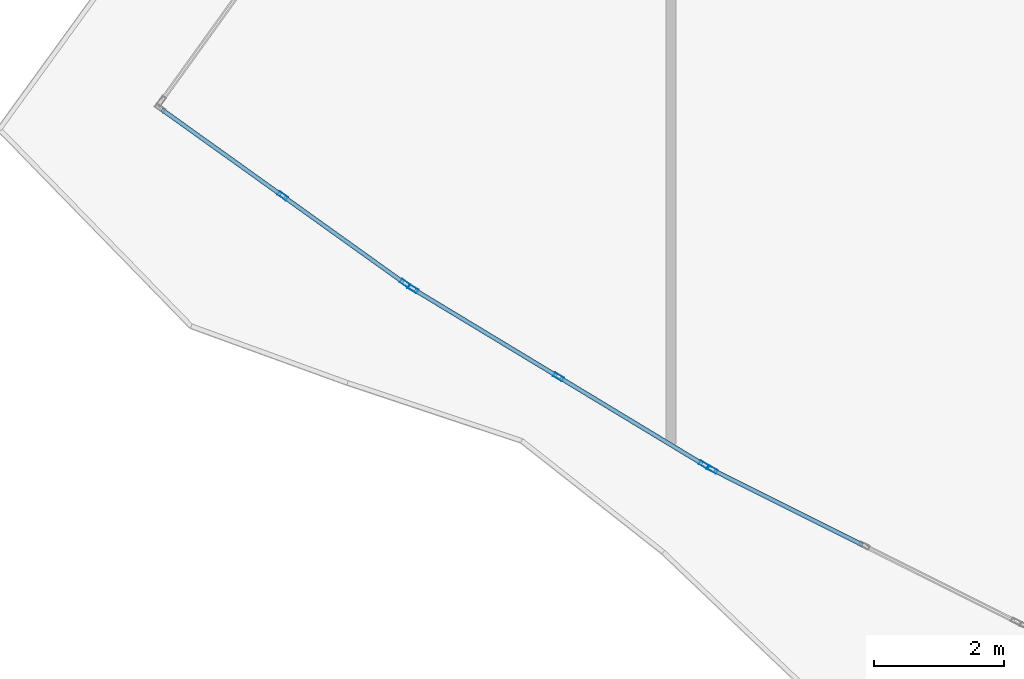
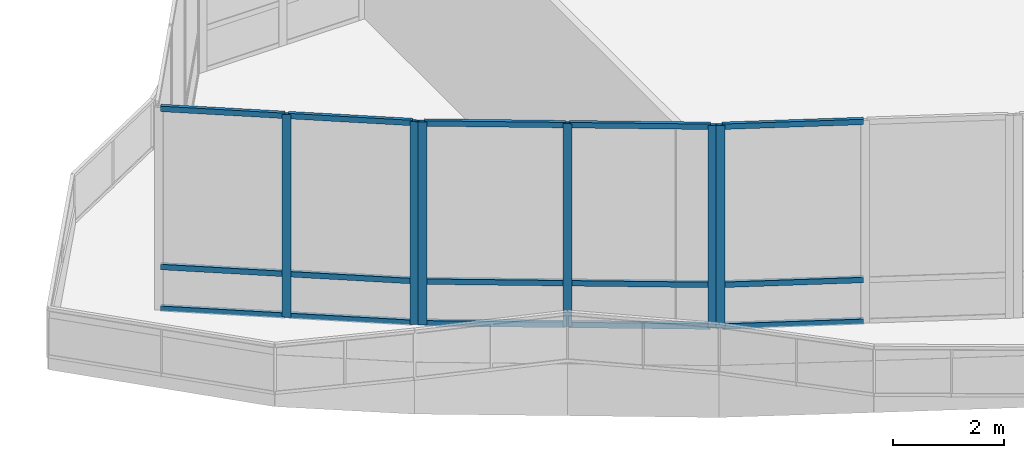
# One storey, part 12 of 155: 21 members, 3 elements without a shape of their own.
"""IFC4 building model written with IfcOpenShell, lengths in metres."""

import ifcopenshell
import ifcopenshell.guid

model = None  # the IFC model being written
_history = None  # IfcOwnerHistory: only IFC2X3 demands one
_inside = {}  # id of a spatial element -> (the spatial element, [elements in it])
_under = {}  # id of a project, library or spatial element -> (it, [spatial elements below it])
_declared = {}  # id of a project -> (the project, [libraries it declares])
_typed = {}  # id of a type object -> (the type object, [elements of that type])
_made_of = {}  # id of a material, layer set ... -> (it, [elements and type objects made of it])


def new_model(schema):
    """Start an empty IFC model of exactly this schema.

    Asked for "IFC4X3", IfcOpenShell would pick the latest addendum, in which some entities
    have other attributes; the version numbers below select the first issue.
    IFC2X3 requires an IfcOwnerHistory on every rooted entity: one is made here for all.
    """
    global model, _history
    if schema == "IFC4X3":
        model = ifcopenshell.file(schema_version=(4, 3, 0, 0))
    else:
        model = ifcopenshell.file(schema=schema)
    _inside.clear()
    _under.clear()
    _declared.clear()
    _typed.clear()
    _made_of.clear()
    _history = None
    if model.schema == "IFC2X3":
        org = make("IfcOrganization", Name="unknown")
        user = make(
            "IfcPersonAndOrganization",
            ThePerson=make("IfcPerson", FamilyName="unknown"),
            TheOrganization=org,
        )
        app = make(
            "IfcApplication",
            ApplicationDeveloper=org,
            Version="unknown",
            ApplicationFullName="unknown",
            ApplicationIdentifier="unknown",
        )
        _history = make(
            "IfcOwnerHistory",
            OwningUser=user,
            OwningApplication=app,
            ChangeAction="ADDED",
            CreationDate=0,
        )
    return model


def make(cls, **values):
    """One entity of the class cls with the attributes given. An attribute that is None is left unset."""
    return model.create_entity(
        cls, **{name: value for name, value in values.items() if value is not None}
    )


def rooted(cls, **values):
    """An entity with a GlobalId (a new one), such as an element, a storey or a relation."""
    return make(cls, GlobalId=ifcopenshell.guid.new(), OwnerHistory=_history, **values)


def si_unit(unit_type, name, prefix=None):
    """IfcSIUnit, for example si_unit("LENGTHUNIT", "METRE", prefix="MILLI")."""
    return make("IfcSIUnit", UnitType=unit_type, Prefix=prefix, Name=name)


def assignment(units):
    """IfcUnitAssignment: the units of a project."""
    return None if units is None else make("IfcUnitAssignment", Units=units)


def point(xyz):
    """IfcCartesianPoint."""
    return None if xyz is None else make("IfcCartesianPoint", Coordinates=xyz)


def direction(xyz):
    """IfcDirection."""
    return None if xyz is None else make("IfcDirection", DirectionRatios=xyz)


def frame(location, z_axis=None, x_axis=None):
    """IfcAxis2Placement3D, a coordinate frame: its origin and axes. An axis left out is left unset."""
    return make(
        "IfcAxis2Placement3D",
        Location=point(location),
        Axis=direction(z_axis),
        RefDirection=direction(x_axis),
    )


def frame_2d(location, x_axis=None):
    """IfcAxis2Placement2D, a coordinate frame in the plane: its origin and x axis."""
    return make(
        "IfcAxis2Placement2D", Location=point(location), RefDirection=direction(x_axis)
    )


def origin():
    """The frame at (0, 0, 0) with its axes left unset."""
    return frame((0.0, 0.0, 0.0))


def origin_2d():
    """The frame at (0, 0) in the plane with its x axis left unset."""
    return frame_2d((0.0, 0.0))


def place(relative_to, where):
    """IfcLocalPlacement: puts the frame where relative to a parent placement (None: the world)."""
    return make(
        "IfcLocalPlacement", PlacementRelTo=relative_to, RelativePlacement=where
    )


def context(
    kind, dimensions, precision=None, world=None, true_north=None, identifier=None
):
    """IfcGeometricRepresentationContext, for example the 3D "Model" context."""
    return make(
        "IfcGeometricRepresentationContext",
        ContextIdentifier=identifier,
        ContextType=kind,
        CoordinateSpaceDimension=dimensions,
        Precision=precision,
        WorldCoordinateSystem=world,
        TrueNorth=true_north,
    )


def subcontext(parent, identifier, kind, view, scale=None):
    """IfcGeometricRepresentationSubContext, for example "Body" below "Model"."""
    return make(
        "IfcGeometricRepresentationSubContext",
        ContextIdentifier=identifier,
        ContextType=kind,
        ParentContext=parent,
        TargetScale=scale,
        TargetView=view,
    )


def project(units=None, contexts=None):
    """IfcProject with its units and contexts."""
    return rooted(
        "IfcProject",
        Name="project",
        RepresentationContexts=contexts,
        UnitsInContext=assignment(units),
    )


def spatial(cls, under=None, at=None, **own):
    """A site, building, storey or space (cls), placed at a placement, below another one or the project."""
    s = rooted(cls, ObjectPlacement=at, **own)
    if under is not None:
        _under.setdefault(under.id(), (under, []))[1].append(s)
    return s


def profile(cls, at=None, kind="AREA", **sizes):
    """A parametric profile (cls). Its sizes go by their IFC names, for example OverallWidth=200.0."""
    return make(cls, ProfileType=kind, Position=at, **sizes)


def hollow_rectangle(**sizes):
    """IfcRectangleHollowProfileDef."""
    return profile("IfcRectangleHollowProfileDef", **sizes)


def extrude(swept, where, along, depth):
    """IfcExtrudedAreaSolid: the profile swept, set in the frame where, extruded along a direction by depth."""
    return make(
        "IfcExtrudedAreaSolid",
        SweptArea=swept,
        Position=where,
        ExtrudedDirection=direction(along),
        Depth=depth,
    )


def shape(context_of_items, identifier, shape_type, items):
    """IfcShapeRepresentation: the items that make up one representation, for example the "Body"."""
    return make(
        "IfcShapeRepresentation",
        ContextOfItems=context_of_items,
        RepresentationIdentifier=identifier,
        RepresentationType=shape_type,
        Items=items,
    )


def material(Name=None, Category=None):
    """IfcMaterial."""
    return make("IfcMaterial", Name=Name, Category=Category)


def material_profile(
    of_material, cross_section, Name=None, Category=None, Priority=None
):
    """IfcMaterialProfile: a cross section and its material."""
    return make(
        "IfcMaterialProfile",
        Name=Name,
        Material=of_material,
        Profile=cross_section,
        Priority=Priority,
        Category=Category,
    )


def profile_set(profiles, Name=None, composite=None):
    """IfcMaterialProfileSet."""
    return make(
        "IfcMaterialProfileSet",
        Name=Name,
        MaterialProfiles=profiles,
        CompositeProfile=composite,
    )


def made_of(thing, what):
    """Note that an element or type object is made of a material, layer set ...; save() writes the relation."""
    if what is not None:
        _made_of.setdefault(what.id(), (what, []))[1].append(thing)
    return thing


def type_object(cls, material=None, **own):
    """A type object (cls), such as IfcWallType, which elements share."""
    return made_of(rooted(cls, **own), material)


def element(
    cls,
    number,
    at=None,
    inside=None,
    cuts=None,
    type_object=None,
    material=None,
    context=None,
    identifier="Body",
    shape_type=None,
    held_by="IfcProductDefinitionShape",
    body=None,
    shapes=None,
    **own,
):
    """One element of the class cls, such as IfcWall. Its Tag is "e" and its number.

    at: its placement. inside: the storey or other place that contains it. cuts: it is an
    opening in that element (IfcRelVoidsElement). A single representation is given by context,
    identifier, shape_type and body (its items); several are given by shapes. held_by: the class
    of the entity that holds the representations. save() writes the other relations.
    """
    e = rooted(cls, Tag="e%d" % number, ObjectPlacement=at, **own)
    if body is not None:
        shapes = [shape(context, identifier, shape_type, body)]
    if shapes is not None:
        e.Representation = make(held_by, Representations=shapes)
    if inside is not None:
        _inside.setdefault(inside.id(), (inside, []))[1].append(e)
    if cuts is not None:
        rooted(
            "IfcRelVoidsElement", RelatingBuildingElement=cuts, RelatedOpeningElement=e
        )
    if type_object is not None:
        _typed.setdefault(type_object.id(), (type_object, []))[1].append(e)
    return made_of(e, material)


def aggregate(whole, parts):
    """IfcRelAggregates: a whole, such as a stair, and the parts it consists of."""
    return rooted("IfcRelAggregates", RelatingObject=whole, RelatedObjects=parts)


def save(model, path):
    """Write the relations noted so far, then the file.

    IfcRelAggregates (storeys below a building ...), IfcRelContainedInSpatialStructure (elements
    in a storey), IfcRelDefinesByType, IfcRelAssociatesMaterial and IfcRelDeclares: one each for
    every whole, place, type object, material and project.
    """
    for whole, parts in _under.values():
        aggregate(whole, parts)
    for where, things in _inside.values():
        rooted(
            "IfcRelContainedInSpatialStructure",
            RelatedElements=things,
            RelatingStructure=where,
        )
    for kind, things in _typed.values():
        rooted("IfcRelDefinesByType", RelatedObjects=things, RelatingType=kind)
    for what, things in _made_of.values():
        rooted("IfcRelAssociatesMaterial", RelatedObjects=things, RelatingMaterial=what)
    for by, libraries in _declared.values():
        rooted("IfcRelDeclares", RelatingContext=by, RelatedDefinitions=libraries)
    model.write(path)


model = new_model("IFC4")

# Units and contexts
model_context = context("Model", 3, precision=1e-05, world=origin(), true_north=direction((0.0, 1.0)))
body_context = subcontext(model_context, "Body", "Model", "MODEL_VIEW")
ifc_project = project(units=[si_unit("LENGTHUNIT", "METRE"), si_unit("AREAUNIT", "SQUARE_METRE"), si_unit("VOLUMEUNIT", "CUBIC_METRE"), si_unit("PLANEANGLEUNIT", "RADIAN"), si_unit("MASSUNIT", "GRAM", prefix="KILO")], contexts=[model_context])

# Site, building, storey
site_placement = place(None, origin())
site = spatial("IfcSite", under=ifc_project, at=site_placement, CompositionType="ELEMENT")
building_placement = place(site_placement, origin())
building = spatial("IfcBuilding", under=site, at=building_placement, Name="Selatvlak General Hospital", CompositionType="ELEMENT")
storey_placement = place(building_placement, frame((0.0, 0.0, 10.199951171875)))
storey = spatial("IfcBuildingStorey", under=building, at=storey_placement, Name="L02", CompositionType="ELEMENT", Elevation=10.199951171875)

# Curtain wall, member
ifc_material_1 = material(Name="Solar-control Low-E double glazing", Category="glass")
curtain_wall_type_1 = type_object("IfcCurtainWallType", Name="CW-CW-02", PredefinedType="USERDEFINED", material=ifc_material_1)
curtain_wall_1_placement = place(storey_placement, origin())
curtain_wall_1 = element("IfcCurtainWall", 1, at=curtain_wall_1_placement, inside=storey, type_object=curtain_wall_type_1, Name="Glazed facade curtain wall CW-L02-0312", ObjectType="UNITISED CURTAIN WALL", PredefinedType="USERDEFINED")
ifc_material_2 = material(Name="Dark anodised aluminium mullion", Category="aluminium")
ifc_material_profile_1 = material_profile(ifc_material_2, hollow_rectangle(XDim=0.06494140625, YDim=0.159912109375, WallThickness=0.00390625, at=origin_2d()), Name="AL-MUL 65x160x4")
ifc_profile_set_1 = profile_set([ifc_material_profile_1], Name="Dark anodised aluminium mullion")
member_type_1 = type_object("IfcMemberType", Name="CWM-01", PredefinedType="MULLION", material=ifc_profile_set_1)
member_1_placement = place(storey_placement, frame((23.43603515625, 20.37548828125, 0.0), z_axis=(0.0, 0.0, 1.0), x_axis=(-0.44759190875, -0.894237934345, 0.0)))
member_1 = element("IfcMember", 2, at=member_1_placement, type_object=member_type_1, Name="CW-02 mullion 3", PredefinedType="MULLION", context=body_context, shape_type="SweptSolid", body=[
    extrude(hollow_rectangle(XDim=0.06494140625, YDim=0.159912109375, WallThickness=0.00390625, at=origin_2d()), origin(), (0.0, 0.0, 1.0), 4.4599609375),
])

# Curtain wall, members
curtain_wall_type_2 = type_object("IfcCurtainWallType", Name="CW-CW-01", PredefinedType="USERDEFINED", material=ifc_material_1)
curtain_wall_2_placement = place(storey_placement, origin())
curtain_wall_2 = element("IfcCurtainWall", 3, at=curtain_wall_2_placement, inside=storey, type_object=curtain_wall_type_2, Name="Glazed facade curtain wall CW-L02-0313", ObjectType="UNITISED CURTAIN WALL", PredefinedType="USERDEFINED")
member_2_placement = place(storey_placement, frame((23.310302734375, 20.44775390625, 0.0), z_axis=(0.0, 0.0, 1.0), x_axis=(-0.517412897815, -0.855735878163, 0.0)))
member_2 = element("IfcMember", 4, at=member_2_placement, type_object=member_type_1, Name="CW-01 mullion 1", PredefinedType="MULLION", context=body_context, shape_type="SweptSolid", body=[
    extrude(hollow_rectangle(XDim=0.06494140625, YDim=0.159912109375, WallThickness=0.00390625, at=origin_2d()), origin(), (0.0, 0.0, 1.0), 4.4599609375),
])
member_3_placement = place(storey_placement, frame((21.075439453125, 21.799072265625, 0.0), z_axis=(0.0, 0.0, 1.0), x_axis=(-0.517412897815, -0.855735878163, 0.0)))
member_3 = element("IfcMember", 5, at=member_3_placement, type_object=member_type_1, Name="CW-01 mullion 2", PredefinedType="MULLION", context=body_context, shape_type="SweptSolid", body=[
    extrude(hollow_rectangle(XDim=0.06494140625, YDim=0.159912109375, WallThickness=0.00390625, at=origin_2d()), origin(), (0.0, 0.0, 1.0), 4.4599609375),
])
member_4_placement = place(storey_placement, frame((18.8408203125, 23.150146484375, 0.0), z_axis=(0.0, 0.0, 1.0), x_axis=(-0.517412897815, -0.855735878163, 0.0)))
member_4 = element("IfcMember", 6, at=member_4_placement, type_object=member_type_1, Name="CW-01 mullion 3", PredefinedType="MULLION", context=body_context, shape_type="SweptSolid", body=[
    extrude(hollow_rectangle(XDim=0.06494140625, YDim=0.159912109375, WallThickness=0.00390625, at=origin_2d()), origin(), (0.0, 0.0, 1.0), 4.4599609375),
])

curtain_wall_3_placement = place(storey_placement, origin())
curtain_wall_3 = element("IfcCurtainWall", 7, at=curtain_wall_3_placement, inside=storey, type_object=curtain_wall_type_1, Name="Glazed facade curtain wall CW-L02-0314", ObjectType="UNITISED CURTAIN WALL", PredefinedType="USERDEFINED")
member_5_placement = place(storey_placement, frame((18.720458984375, 23.23193359375, 0.0), z_axis=(0.0, 0.0, 1.0), x_axis=(-0.581802726189, -0.813329937847, 0.0)))
member_5 = element("IfcMember", 8, at=member_5_placement, type_object=member_type_1, Name="CW-02 mullion 1", PredefinedType="MULLION", context=body_context, shape_type="SweptSolid", body=[
    extrude(hollow_rectangle(XDim=0.06494140625, YDim=0.159912109375, WallThickness=0.00390625, at=origin_2d()), origin(), (0.0, 0.0, 1.0), 4.4599609375),
])
member_6_placement = place(storey_placement, frame((16.839599609375, 24.577392578125, 0.0), z_axis=(0.0, 0.0, 1.0), x_axis=(-0.581802726189, -0.813329937847, 0.0)))
member_6 = element("IfcMember", 9, at=member_6_placement, type_object=member_type_1, Name="CW-02 mullion 2", PredefinedType="MULLION", context=body_context, shape_type="SweptSolid", body=[
    extrude(hollow_rectangle(XDim=0.06494140625, YDim=0.159912109375, WallThickness=0.00390625, at=origin_2d()), origin(), (0.0, 0.0, 1.0), 4.4599609375),
])

# Member
ifc_material_profile_2 = material_profile(ifc_material_2, hollow_rectangle(XDim=0.06494140625, YDim=0.1201171875, WallThickness=0.00390625, at=origin_2d()), Name="AL-TRN 65x120x4")
ifc_profile_set_2 = profile_set([ifc_material_profile_2], Name="Dark anodised aluminium mullion")
member_type_2 = type_object("IfcMemberType", Name="CWT-01", PredefinedType="USERDEFINED", material=ifc_profile_set_2)
member_7_placement = place(storey_placement, frame((25.741455078125, 19.221435546875, 0.032470703125), z_axis=(-0.894235295067, 0.44759718169, 0.0), x_axis=(-0.44759718169, -0.894235295067, 0.0)))
member_7 = element("IfcMember", 10, at=member_7_placement, type_object=member_type_2, Name="CW-02 transom 2.1", ObjectType="TRANSOM", PredefinedType="USERDEFINED", context=body_context, shape_type="SweptSolid", body=[
    extrude(hollow_rectangle(XDim=0.06494140625, YDim=0.1201171875, WallThickness=0.00390625, at=origin_2d()), origin(), (0.0, 0.0, 1.0), 2.545654296875),
])

member_8_placement = place(storey_placement, frame((25.741455078125, 19.221435546875, 0.949951171875), z_axis=(-0.894235295067, 0.44759718169, 0.0), x_axis=(-0.44759718169, -0.894235295067, 0.0)))
member_8 = element("IfcMember", 11, at=member_8_placement, type_object=member_type_2, Name="CW-02 transom 2.2", ObjectType="TRANSOM", PredefinedType="USERDEFINED", context=body_context, shape_type="SweptSolid", body=[
    extrude(hollow_rectangle(XDim=0.06494140625, YDim=0.1201171875, WallThickness=0.00390625, at=origin_2d()), origin(), (0.0, 0.0, 1.0), 2.545654296875),
])

member_9_placement = place(storey_placement, frame((25.741455078125, 19.221435546875, 4.427490234375), z_axis=(-0.894235295067, 0.44759718169, 0.0), x_axis=(-0.44759718169, -0.894235295067, 0.0)))
member_9 = element("IfcMember", 12, at=member_9_placement, type_object=member_type_2, Name="CW-02 transom 2.3", ObjectType="TRANSOM", PredefinedType="USERDEFINED", context=body_context, shape_type="SweptSolid", body=[
    extrude(hollow_rectangle(XDim=0.06494140625, YDim=0.1201171875, WallThickness=0.00390625, at=origin_2d()), origin(), (0.0, 0.0, 1.0), 2.545654296875),
])

aggregate(curtain_wall_1, [member_1, member_7, member_8, member_9])

member_10_placement = place(storey_placement, frame((23.282470703125, 20.464599609375, 0.032470703125), z_axis=(-0.85573691943, 0.517411175685, 0.0), x_axis=(-0.517411175685, -0.85573691943, 0.0)))
member_10 = element("IfcMember", 13, at=member_10_placement, type_object=member_type_2, Name="CW-01 transom 1.1", ObjectType="TRANSOM", PredefinedType="USERDEFINED", context=body_context, shape_type="SweptSolid", body=[
    extrude(hollow_rectangle(XDim=0.06494140625, YDim=0.1201171875, WallThickness=0.00390625, at=origin_2d()), origin(), (0.0, 0.0, 1.0), 2.546630859375),
])

member_11_placement = place(storey_placement, frame((23.282470703125, 20.464599609375, 0.949951171875), z_axis=(-0.85573691943, 0.517411175685, 0.0), x_axis=(-0.517411175685, -0.85573691943, 0.0)))
member_11 = element("IfcMember", 14, at=member_11_placement, type_object=member_type_2, Name="CW-01 transom 1.2", ObjectType="TRANSOM", PredefinedType="USERDEFINED", context=body_context, shape_type="SweptSolid", body=[
    extrude(hollow_rectangle(XDim=0.06494140625, YDim=0.1201171875, WallThickness=0.00390625, at=origin_2d()), origin(), (0.0, 0.0, 1.0), 2.546630859375),
])

member_12_placement = place(storey_placement, frame((23.282470703125, 20.464599609375, 4.427490234375), z_axis=(-0.85573691943, 0.517411175685, 0.0), x_axis=(-0.517411175685, -0.85573691943, 0.0)))
member_12 = element("IfcMember", 15, at=member_12_placement, type_object=member_type_2, Name="CW-01 transom 1.3", ObjectType="TRANSOM", PredefinedType="USERDEFINED", context=body_context, shape_type="SweptSolid", body=[
    extrude(hollow_rectangle(XDim=0.06494140625, YDim=0.1201171875, WallThickness=0.00390625, at=origin_2d()), origin(), (0.0, 0.0, 1.0), 2.546630859375),
])

member_13_placement = place(storey_placement, frame((21.047607421875, 21.81591796875, 0.032470703125), z_axis=(-0.855753703596, 0.517383415642, 0.0), x_axis=(-0.517383415642, -0.855753703596, 0.0)))
member_13 = element("IfcMember", 16, at=member_13_placement, type_object=member_type_2, Name="CW-01 transom 2.1", ObjectType="TRANSOM", PredefinedType="USERDEFINED", context=body_context, shape_type="SweptSolid", body=[
    extrude(hollow_rectangle(XDim=0.06494140625, YDim=0.1201171875, WallThickness=0.00390625, at=origin_2d()), origin(), (0.0, 0.0, 1.0), 2.546142578125),
])

member_14_placement = place(storey_placement, frame((21.047607421875, 21.81591796875, 0.949951171875), z_axis=(-0.855753703596, 0.517383415642, 0.0), x_axis=(-0.517383415642, -0.855753703596, 0.0)))
member_14 = element("IfcMember", 17, at=member_14_placement, type_object=member_type_2, Name="CW-01 transom 2.2", ObjectType="TRANSOM", PredefinedType="USERDEFINED", context=body_context, shape_type="SweptSolid", body=[
    extrude(hollow_rectangle(XDim=0.06494140625, YDim=0.1201171875, WallThickness=0.00390625, at=origin_2d()), origin(), (0.0, 0.0, 1.0), 2.546142578125),
])

member_15_placement = place(storey_placement, frame((21.047607421875, 21.81591796875, 4.427490234375), z_axis=(-0.855753703596, 0.517383415642, 0.0), x_axis=(-0.517383415642, -0.855753703596, 0.0)))
member_15 = element("IfcMember", 18, at=member_15_placement, type_object=member_type_2, Name="CW-01 transom 2.3", ObjectType="TRANSOM", PredefinedType="USERDEFINED", context=body_context, shape_type="SweptSolid", body=[
    extrude(hollow_rectangle(XDim=0.06494140625, YDim=0.1201171875, WallThickness=0.00390625, at=origin_2d()), origin(), (0.0, 0.0, 1.0), 2.546142578125),
])

aggregate(curtain_wall_2, [member_2, member_3, member_4, member_10, member_11, member_12, member_13, member_14, member_15])

member_16_placement = place(storey_placement, frame((18.694091796875, 23.250732421875, 0.032470703125), z_axis=(-0.81330025791, 0.581844214961, 0.0), x_axis=(-0.581844214961, -0.81330025791, 0.0)))
member_16 = element("IfcMember", 19, at=member_16_placement, type_object=member_type_2, Name="CW-02 transom 1.1", ObjectType="TRANSOM", PredefinedType="USERDEFINED", context=body_context, shape_type="SweptSolid", body=[
    extrude(hollow_rectangle(XDim=0.06494140625, YDim=0.1201171875, WallThickness=0.00390625, at=origin_2d()), origin(), (0.0, 0.0, 1.0), 2.247802734375),
])

member_17_placement = place(storey_placement, frame((18.694091796875, 23.250732421875, 0.949951171875), z_axis=(-0.81330025791, 0.581844214961, 0.0), x_axis=(-0.581844214961, -0.81330025791, 0.0)))
member_17 = element("IfcMember", 20, at=member_17_placement, type_object=member_type_2, Name="CW-02 transom 1.2", ObjectType="TRANSOM", PredefinedType="USERDEFINED", context=body_context, shape_type="SweptSolid", body=[
    extrude(hollow_rectangle(XDim=0.06494140625, YDim=0.1201171875, WallThickness=0.00390625, at=origin_2d()), origin(), (0.0, 0.0, 1.0), 2.247802734375),
])

member_18_placement = place(storey_placement, frame((18.694091796875, 23.250732421875, 4.427490234375), z_axis=(-0.81330025791, 0.581844214961, 0.0), x_axis=(-0.581844214961, -0.81330025791, 0.0)))
member_18 = element("IfcMember", 21, at=member_18_placement, type_object=member_type_2, Name="CW-02 transom 1.3", ObjectType="TRANSOM", PredefinedType="USERDEFINED", context=body_context, shape_type="SweptSolid", body=[
    extrude(hollow_rectangle(XDim=0.06494140625, YDim=0.1201171875, WallThickness=0.00390625, at=origin_2d()), origin(), (0.0, 0.0, 1.0), 2.247802734375),
])

member_19_placement = place(storey_placement, frame((16.81298828125, 24.596435546875, 0.032470703125), z_axis=(-0.81330025791, 0.581844214961, 0.0), x_axis=(-0.581844214961, -0.81330025791, 0.0)))
member_19 = element("IfcMember", 22, at=member_19_placement, type_object=member_type_2, Name="CW-02 transom 2.1", ObjectType="TRANSOM", PredefinedType="USERDEFINED", context=body_context, shape_type="SweptSolid", body=[
    extrude(hollow_rectangle(XDim=0.06494140625, YDim=0.1201171875, WallThickness=0.00390625, at=origin_2d()), origin(), (0.0, 0.0, 1.0), 2.247802734375),
])

member_20_placement = place(storey_placement, frame((16.81298828125, 24.596435546875, 0.949951171875), z_axis=(-0.81330025791, 0.581844214961, 0.0), x_axis=(-0.581844214961, -0.81330025791, 0.0)))
member_20 = element("IfcMember", 23, at=member_20_placement, type_object=member_type_2, Name="CW-02 transom 2.2", ObjectType="TRANSOM", PredefinedType="USERDEFINED", context=body_context, shape_type="SweptSolid", body=[
    extrude(hollow_rectangle(XDim=0.06494140625, YDim=0.1201171875, WallThickness=0.00390625, at=origin_2d()), origin(), (0.0, 0.0, 1.0), 2.247802734375),
])

member_21_placement = place(storey_placement, frame((16.81298828125, 24.596435546875, 4.427490234375), z_axis=(-0.81330025791, 0.581844214961, 0.0), x_axis=(-0.581844214961, -0.81330025791, 0.0)))
member_21 = element("IfcMember", 24, at=member_21_placement, type_object=member_type_2, Name="CW-02 transom 2.3", ObjectType="TRANSOM", PredefinedType="USERDEFINED", context=body_context, shape_type="SweptSolid", body=[
    extrude(hollow_rectangle(XDim=0.06494140625, YDim=0.1201171875, WallThickness=0.00390625, at=origin_2d()), origin(), (0.0, 0.0, 1.0), 2.247802734375),
])

aggregate(curtain_wall_3, [member_5, member_6, member_16, member_17, member_18, member_19, member_20, member_21])

save(model, "model.ifc")
